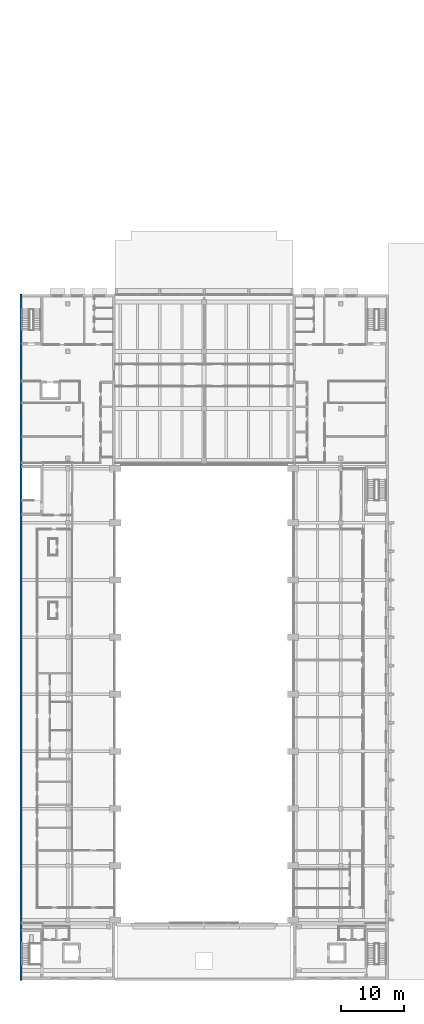
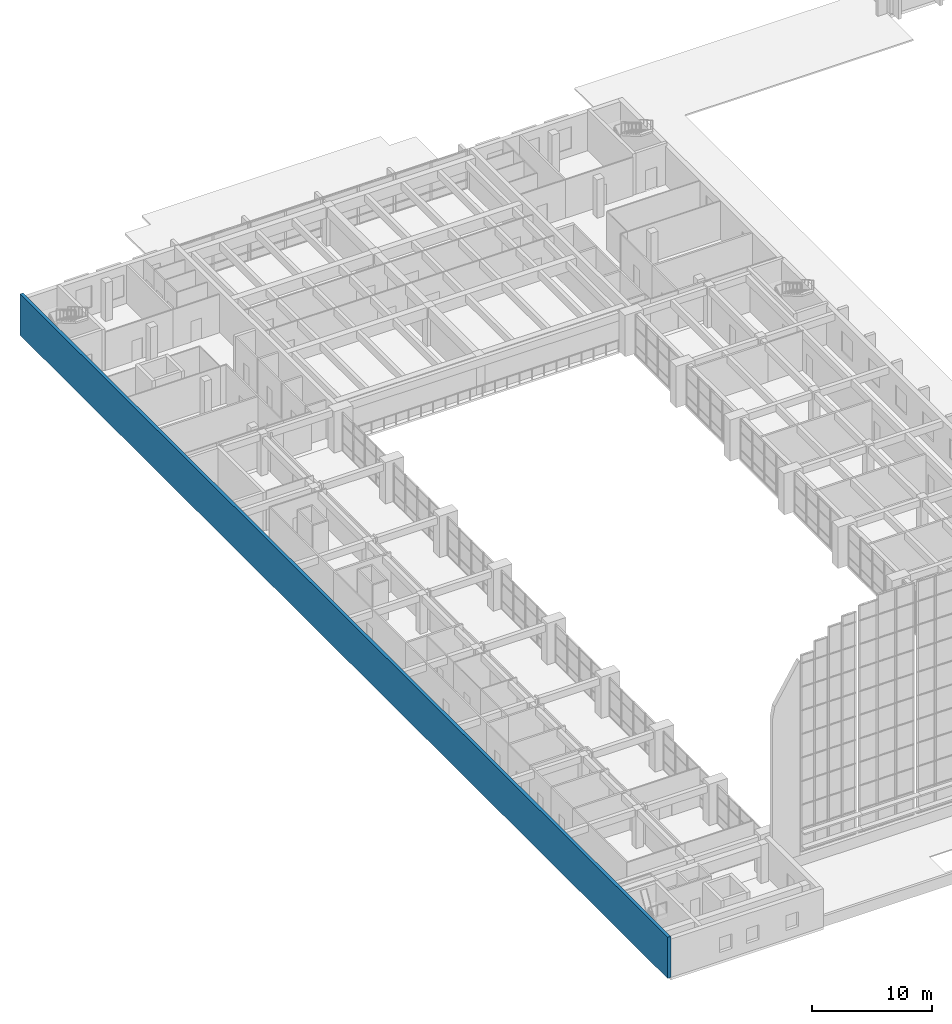
# One storey, part 28 of 45: 1 wall.
"""IFC4 building model written with IfcOpenShell, lengths in metres."""

from ifc_helpers import new_model, si_unit, direction, frame, frame_2d, origin, place, context, subcontext, project, spatial, rectangle, extrude, material, layer, layer_set, type_object, element, save


model = new_model("IFC4")

# Units and contexts
model_context = context("Model", 3, precision=1e-05, world=origin(), true_north=direction((0.0, 1.0)))
body_context = subcontext(model_context, "Body", "Model", "MODEL_VIEW")
ifc_project = project(units=[si_unit("LENGTHUNIT", "METRE"), si_unit("AREAUNIT", "SQUARE_METRE"), si_unit("VOLUMEUNIT", "CUBIC_METRE"), si_unit("PLANEANGLEUNIT", "RADIAN"), si_unit("MASSUNIT", "GRAM", prefix="KILO")], contexts=[model_context])

# Site, building, storey
site_placement = place(None, origin())
site = spatial("IfcSite", under=ifc_project, at=site_placement, CompositionType="ELEMENT")
building_placement = place(site_placement, origin())
building = spatial("IfcBuilding", under=site, at=building_placement, Name="Elmora Arch Market Hall", CompositionType="ELEMENT")
storey_placement = place(building_placement, frame((0.0, 0.0, 6.0)))
storey = spatial("IfcBuildingStorey", under=building, at=storey_placement, Name="L01", CompositionType="ELEMENT", Elevation=6.0)

# Wall
ifc_material = material(Name="Concrete C40/50", Category="concrete")
ifc_layer = layer(ifc_material, 0.300048828125)
ifc_layer_set = layer_set([ifc_layer], Name="Concrete C40/50")
wall_type = type_object("IfcWallType", Name="Party wall 300", PredefinedType="SHEAR", material=ifc_layer_set)
wall_placement = place(storey_placement, frame((0.14990234375, 18.0, 0.0), z_axis=(0.0, 0.0, 1.0), x_axis=(0.0, 1.0, 0.0)))
element("IfcWall", 1, at=wall_placement, inside=storey, type_object=wall_type, Name="Party wall W L01", PredefinedType="SHEAR", context=body_context, shape_type="SweptSolid", body=[
    extrude(rectangle(XDim=108.0, YDim=0.300048828125, at=frame_2d((54.0, 0.0))), origin(), (0.0, 0.0, 1.0), 4.199951171875),
])

save(model, "model.ifc")
